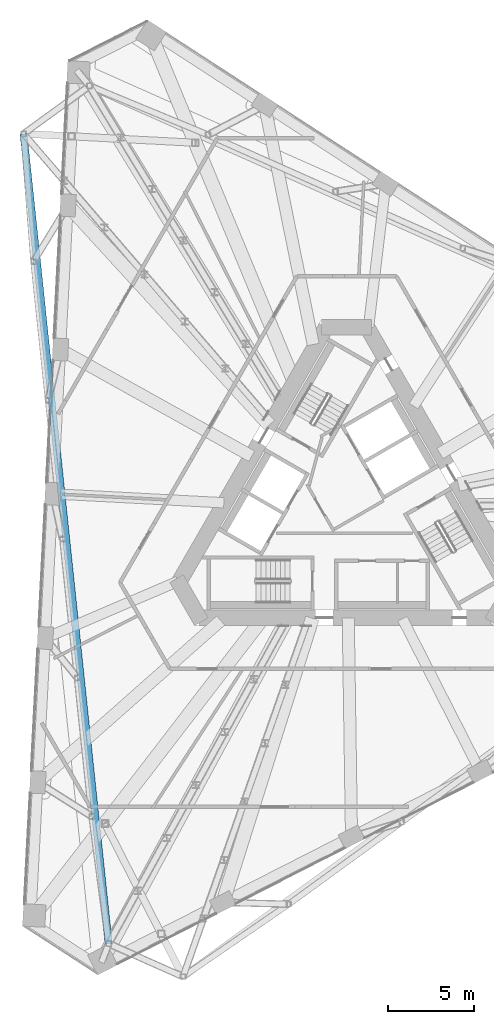
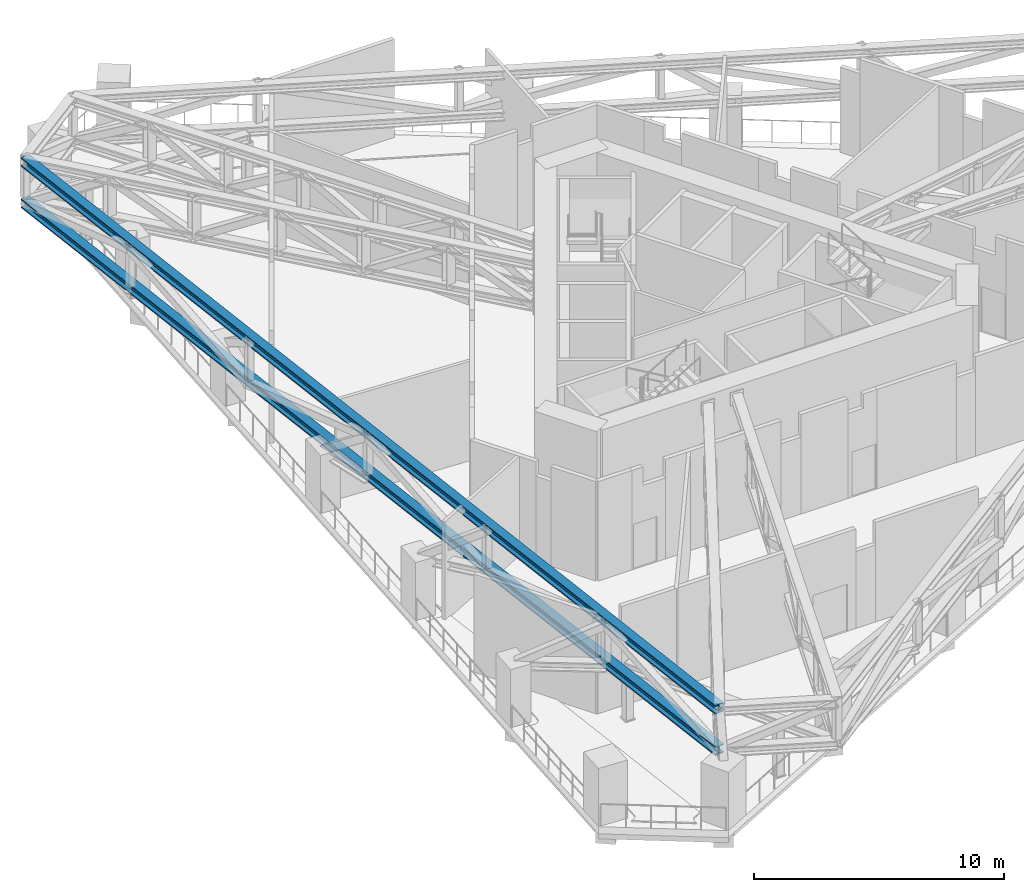
# One storey, part 5 of 26: 2 members.
"""IFC4 building model written with IfcOpenShell, lengths in metres."""

import ifcopenshell
import ifcopenshell.guid

model = None  # the IFC model being written
_history = None  # IfcOwnerHistory: only IFC2X3 demands one
_inside = {}  # id of a spatial element -> (the spatial element, [elements in it])
_under = {}  # id of a project, library or spatial element -> (it, [spatial elements below it])
_declared = {}  # id of a project -> (the project, [libraries it declares])
_typed = {}  # id of a type object -> (the type object, [elements of that type])
_made_of = {}  # id of a material, layer set ... -> (it, [elements and type objects made of it])


def new_model(schema):
    """Start an empty IFC model of exactly this schema.

    Asked for "IFC4X3", IfcOpenShell would pick the latest addendum, in which some entities
    have other attributes; the version numbers below select the first issue.
    IFC2X3 requires an IfcOwnerHistory on every rooted entity: one is made here for all.
    """
    global model, _history
    if schema == "IFC4X3":
        model = ifcopenshell.file(schema_version=(4, 3, 0, 0))
    else:
        model = ifcopenshell.file(schema=schema)
    _inside.clear()
    _under.clear()
    _declared.clear()
    _typed.clear()
    _made_of.clear()
    _history = None
    if model.schema == "IFC2X3":
        org = make("IfcOrganization", Name="unknown")
        user = make(
            "IfcPersonAndOrganization",
            ThePerson=make("IfcPerson", FamilyName="unknown"),
            TheOrganization=org,
        )
        app = make(
            "IfcApplication",
            ApplicationDeveloper=org,
            Version="unknown",
            ApplicationFullName="unknown",
            ApplicationIdentifier="unknown",
        )
        _history = make(
            "IfcOwnerHistory",
            OwningUser=user,
            OwningApplication=app,
            ChangeAction="ADDED",
            CreationDate=0,
        )
    return model


def make(cls, **values):
    """One entity of the class cls with the attributes given. An attribute that is None is left unset."""
    return model.create_entity(
        cls, **{name: value for name, value in values.items() if value is not None}
    )


def rooted(cls, **values):
    """An entity with a GlobalId (a new one), such as an element, a storey or a relation."""
    return make(cls, GlobalId=ifcopenshell.guid.new(), OwnerHistory=_history, **values)


def si_unit(unit_type, name, prefix=None):
    """IfcSIUnit, for example si_unit("LENGTHUNIT", "METRE", prefix="MILLI")."""
    return make("IfcSIUnit", UnitType=unit_type, Prefix=prefix, Name=name)


def assignment(units):
    """IfcUnitAssignment: the units of a project."""
    return None if units is None else make("IfcUnitAssignment", Units=units)


def point(xyz):
    """IfcCartesianPoint."""
    return None if xyz is None else make("IfcCartesianPoint", Coordinates=xyz)


def direction(xyz):
    """IfcDirection."""
    return None if xyz is None else make("IfcDirection", DirectionRatios=xyz)


def frame(location, z_axis=None, x_axis=None):
    """IfcAxis2Placement3D, a coordinate frame: its origin and axes. An axis left out is left unset."""
    return make(
        "IfcAxis2Placement3D",
        Location=point(location),
        Axis=direction(z_axis),
        RefDirection=direction(x_axis),
    )


def frame_2d(location, x_axis=None):
    """IfcAxis2Placement2D, a coordinate frame in the plane: its origin and x axis."""
    return make(
        "IfcAxis2Placement2D", Location=point(location), RefDirection=direction(x_axis)
    )


def origin():
    """The frame at (0, 0, 0) with its axes left unset."""
    return frame((0.0, 0.0, 0.0))


def origin_2d():
    """The frame at (0, 0) in the plane with its x axis left unset."""
    return frame_2d((0.0, 0.0))


def place(relative_to, where):
    """IfcLocalPlacement: puts the frame where relative to a parent placement (None: the world)."""
    return make(
        "IfcLocalPlacement", PlacementRelTo=relative_to, RelativePlacement=where
    )


def context(
    kind, dimensions, precision=None, world=None, true_north=None, identifier=None
):
    """IfcGeometricRepresentationContext, for example the 3D "Model" context."""
    return make(
        "IfcGeometricRepresentationContext",
        ContextIdentifier=identifier,
        ContextType=kind,
        CoordinateSpaceDimension=dimensions,
        Precision=precision,
        WorldCoordinateSystem=world,
        TrueNorth=true_north,
    )


def subcontext(parent, identifier, kind, view, scale=None):
    """IfcGeometricRepresentationSubContext, for example "Body" below "Model"."""
    return make(
        "IfcGeometricRepresentationSubContext",
        ContextIdentifier=identifier,
        ContextType=kind,
        ParentContext=parent,
        TargetScale=scale,
        TargetView=view,
    )


def project(units=None, contexts=None):
    """IfcProject with its units and contexts."""
    return rooted(
        "IfcProject",
        Name="project",
        RepresentationContexts=contexts,
        UnitsInContext=assignment(units),
    )


def spatial(cls, under=None, at=None, **own):
    """A site, building, storey or space (cls), placed at a placement, below another one or the project."""
    s = rooted(cls, ObjectPlacement=at, **own)
    if under is not None:
        _under.setdefault(under.id(), (under, []))[1].append(s)
    return s


def profile(cls, at=None, kind="AREA", **sizes):
    """A parametric profile (cls). Its sizes go by their IFC names, for example OverallWidth=200.0."""
    return make(cls, ProfileType=kind, Position=at, **sizes)


def i_section(**sizes):
    """IfcIShapeProfileDef."""
    return profile("IfcIShapeProfileDef", **sizes)


def extrude(swept, where, along, depth):
    """IfcExtrudedAreaSolid: the profile swept, set in the frame where, extruded along a direction by depth."""
    return make(
        "IfcExtrudedAreaSolid",
        SweptArea=swept,
        Position=where,
        ExtrudedDirection=direction(along),
        Depth=depth,
    )


def shape(context_of_items, identifier, shape_type, items):
    """IfcShapeRepresentation: the items that make up one representation, for example the "Body"."""
    return make(
        "IfcShapeRepresentation",
        ContextOfItems=context_of_items,
        RepresentationIdentifier=identifier,
        RepresentationType=shape_type,
        Items=items,
    )


def material(Name=None, Category=None):
    """IfcMaterial."""
    return make("IfcMaterial", Name=Name, Category=Category)


def material_profile(
    of_material, cross_section, Name=None, Category=None, Priority=None
):
    """IfcMaterialProfile: a cross section and its material."""
    return make(
        "IfcMaterialProfile",
        Name=Name,
        Material=of_material,
        Profile=cross_section,
        Priority=Priority,
        Category=Category,
    )


def profile_set(profiles, Name=None, composite=None):
    """IfcMaterialProfileSet."""
    return make(
        "IfcMaterialProfileSet",
        Name=Name,
        MaterialProfiles=profiles,
        CompositeProfile=composite,
    )


def made_of(thing, what):
    """Note that an element or type object is made of a material, layer set ...; save() writes the relation."""
    if what is not None:
        _made_of.setdefault(what.id(), (what, []))[1].append(thing)
    return thing


def type_object(cls, material=None, **own):
    """A type object (cls), such as IfcWallType, which elements share."""
    return made_of(rooted(cls, **own), material)


def element(
    cls,
    number,
    at=None,
    inside=None,
    cuts=None,
    type_object=None,
    material=None,
    context=None,
    identifier="Body",
    shape_type=None,
    held_by="IfcProductDefinitionShape",
    body=None,
    shapes=None,
    **own,
):
    """One element of the class cls, such as IfcWall. Its Tag is "e" and its number.

    at: its placement. inside: the storey or other place that contains it. cuts: it is an
    opening in that element (IfcRelVoidsElement). A single representation is given by context,
    identifier, shape_type and body (its items); several are given by shapes. held_by: the class
    of the entity that holds the representations. save() writes the other relations.
    """
    e = rooted(cls, Tag="e%d" % number, ObjectPlacement=at, **own)
    if body is not None:
        shapes = [shape(context, identifier, shape_type, body)]
    if shapes is not None:
        e.Representation = make(held_by, Representations=shapes)
    if inside is not None:
        _inside.setdefault(inside.id(), (inside, []))[1].append(e)
    if cuts is not None:
        rooted(
            "IfcRelVoidsElement", RelatingBuildingElement=cuts, RelatedOpeningElement=e
        )
    if type_object is not None:
        _typed.setdefault(type_object.id(), (type_object, []))[1].append(e)
    return made_of(e, material)


def aggregate(whole, parts):
    """IfcRelAggregates: a whole, such as a stair, and the parts it consists of."""
    return rooted("IfcRelAggregates", RelatingObject=whole, RelatedObjects=parts)


def save(model, path):
    """Write the relations noted so far, then the file.

    IfcRelAggregates (storeys below a building ...), IfcRelContainedInSpatialStructure (elements
    in a storey), IfcRelDefinesByType, IfcRelAssociatesMaterial and IfcRelDeclares: one each for
    every whole, place, type object, material and project.
    """
    for whole, parts in _under.values():
        aggregate(whole, parts)
    for where, things in _inside.values():
        rooted(
            "IfcRelContainedInSpatialStructure",
            RelatedElements=things,
            RelatingStructure=where,
        )
    for kind, things in _typed.values():
        rooted("IfcRelDefinesByType", RelatedObjects=things, RelatingType=kind)
    for what, things in _made_of.values():
        rooted("IfcRelAssociatesMaterial", RelatedObjects=things, RelatingMaterial=what)
    for by, libraries in _declared.values():
        rooted("IfcRelDeclares", RelatingContext=by, RelatedDefinitions=libraries)
    model.write(path)


model = new_model("IFC4")

# Units and contexts
model_context = context("Model", 3, precision=1e-05, world=origin(), true_north=direction((0.0, 1.0)))
body_context = subcontext(model_context, "Body", "Model", "MODEL_VIEW")
ifc_project = project(units=[si_unit("LENGTHUNIT", "METRE"), si_unit("AREAUNIT", "SQUARE_METRE"), si_unit("VOLUMEUNIT", "CUBIC_METRE"), si_unit("PLANEANGLEUNIT", "RADIAN"), si_unit("MASSUNIT", "GRAM", prefix="KILO")], contexts=[model_context])

# Site, building, storey
site_placement = place(None, origin())
site = spatial("IfcSite", under=ifc_project, at=site_placement, CompositionType="ELEMENT")
building_placement = place(site_placement, origin())
building = spatial("IfcBuilding", under=site, at=building_placement, Name="Tramontana Tower", CompositionType="ELEMENT")
storey_placement = place(building_placement, frame((0.0, 0.0, 157.60009765625)))
storey = spatial("IfcBuildingStorey", under=building, at=storey_placement, Name="L36", CompositionType="ELEMENT", Elevation=157.60009765625)

# Members
ifc_material = material(Name="Steel ASTM A992 Grade 50", Category="steel")
ifc_material_profile = material_profile(ifc_material, i_section(OverallWidth=0.412841796875, OverallDepth=0.43505859375, WebThickness=0.03662109375, FlangeThickness=0.05712890625, FilletRadius=0.01513671875, at=origin_2d()), Name="W14X311")
ifc_profile_set = profile_set([ifc_material_profile], Name="Steel ASTM A992 Grade 50")
member_type = type_object("IfcMemberType", Name="Belt truss W14X311 chord", PredefinedType="CHORD", material=ifc_profile_set)
for number, where, z_axis, x_axis, name in (
    (1, (-18.727294921875, 21.760498046875, 2.617431640625), (0.104530763109, -0.994521653643, 0.0), (0.994521653643, 0.104530763109, 0.0), "Belt truss bottom chord S0"),
    (2, (-18.727294921875, 21.760498046875, 4.63232421875), (0.104530763109, -0.994521653643, 0.0), (0.994521653643, 0.104530763109, 0.0), "Belt truss top chord S0"),
):
    element("IfcMember", number, at=place(storey_placement, frame(where, z_axis=z_axis, x_axis=x_axis)), inside=storey, type_object=member_type, Name=name, PredefinedType="CHORD", context=body_context, shape_type="SweptSolid", body=[
        extrude(i_section(OverallWidth=0.412841796875, OverallDepth=0.43505859375, WebThickness=0.03662109375, FlangeThickness=0.05712890625, FilletRadius=0.01513671875, at=origin_2d()), origin(), (0.0, 0.0, 1.0), 47.197509765625),
    ])

save(model, "model.ifc")
